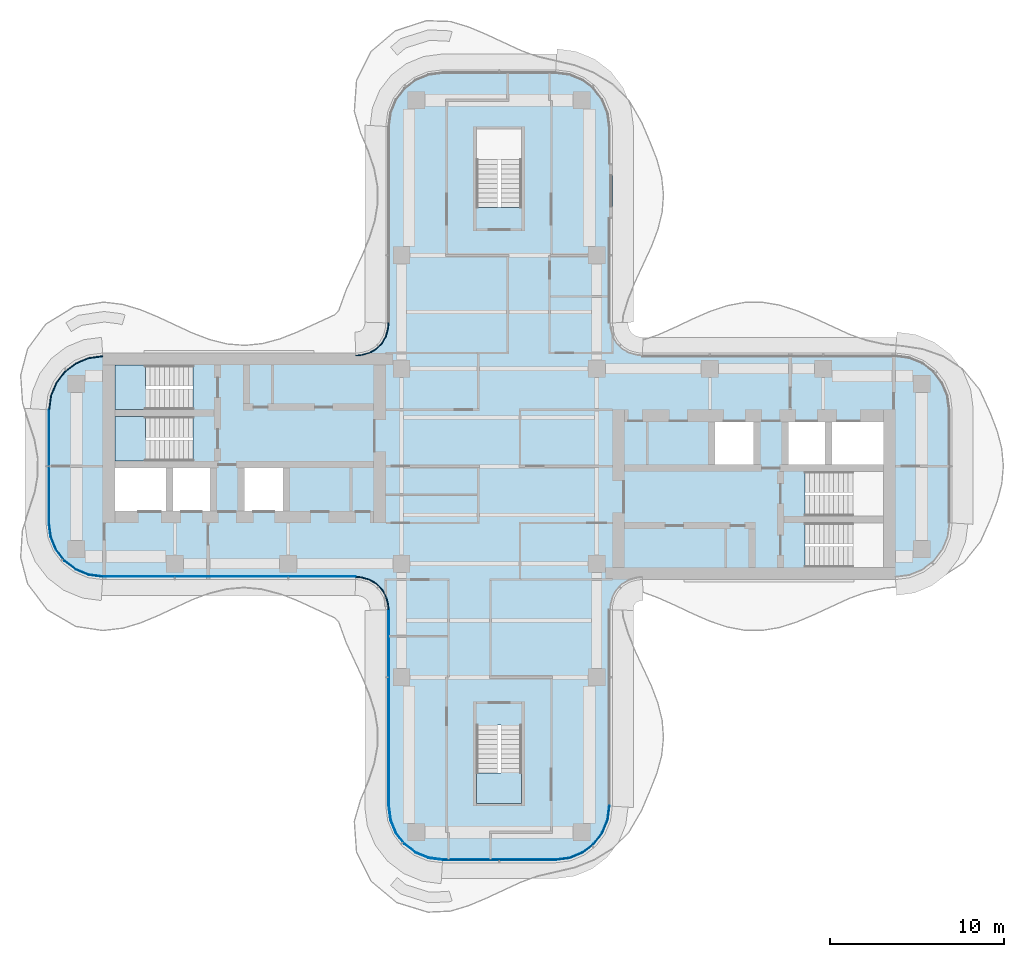
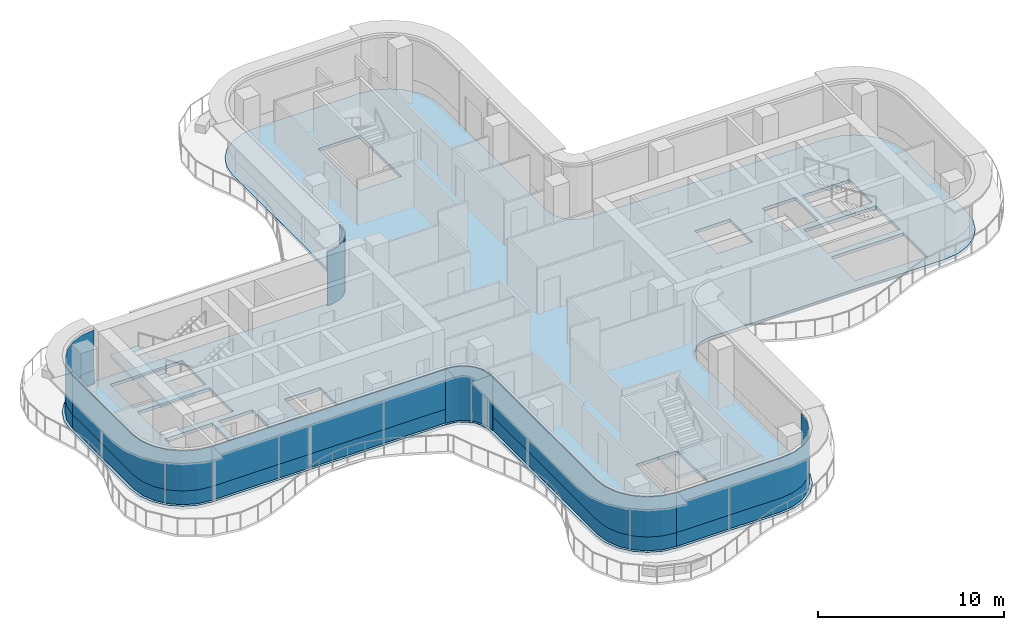
# One storey, part 8 of 15: 12 plates, 4 slabs, 10 elements without a shape of their own.
"""IFC4 building model written with IfcOpenShell, lengths in metres."""

from ifc_helpers import new_model, si_unit, direction, frame, origin, place, context, subcontext, project, spatial, polyline, outline, extrude, source, transform, mapped, material, layer, layer_set, type_object, element, aggregate, save


model = new_model("IFC4")

# Units and contexts
model_context = context("Model", 3, precision=1e-05, world=origin(), true_north=direction((0.0, 1.0)))
body_context = subcontext(model_context, "Body", "Model", "MODEL_VIEW")
ifc_project = project(units=[si_unit("LENGTHUNIT", "METRE"), si_unit("AREAUNIT", "SQUARE_METRE"), si_unit("VOLUMEUNIT", "CUBIC_METRE"), si_unit("PLANEANGLEUNIT", "RADIAN"), si_unit("MASSUNIT", "GRAM", prefix="KILO")], contexts=[model_context])

# Site, building, storey
site_placement = place(None, origin())
site = spatial("IfcSite", under=ifc_project, at=site_placement, CompositionType="ELEMENT")
building_placement = place(site_placement, origin())
building = spatial("IfcBuilding", under=site, at=building_placement, Name="Trellis Farm Tower", CompositionType="ELEMENT")
storey_placement = place(building_placement, frame((0.0, 0.0, 287.199951171875)))
storey = spatial("IfcBuildingStorey", under=building, at=storey_placement, Name="L64", CompositionType="ELEMENT", Elevation=287.199951171875)

# Slab
ifc_material_1 = material(Name="Concrete C40/50", Category="concrete")
ifc_layer_1 = layer(ifc_material_1, 0.199951171875)
ifc_layer_set_1 = layer_set([ifc_layer_1], Name="Composite deck floor slab 200")
slab_type_1 = type_object("IfcSlabType", Name="Composite deck floor slab 200", PredefinedType="FLOOR", material=ifc_layer_set_1)
shared_shape_1 = source(origin(), body_context, "Body", "SweptSolid", [
    extrude(outline(polyline([(-23.59130859375, -6.389404296875), (-24.375, -6.064697265625), (-25.048095703125, -5.548095703125), (-25.564697265625, -4.875), (-25.889404296875, -4.09130859375), (-26.0, -3.25), (-26.0, 3.25), (-25.889404296875, 4.09130859375), (-25.564697265625, 4.875), (-25.048095703125, 5.548095703125), (-24.375, 6.064697265625), (-23.59130859375, 6.389404296875), (-22.75, 6.5), (-8.2314453125, 6.5), (-8.01953125, 6.513916015625), (-7.91552734375, 6.527587890625), (-7.508544921875, 6.63671875), (-7.144287109375, 6.846923828125), (-6.846923828125, 7.144287109375), (-6.63671875, 7.508544921875), (-6.527587890625, 7.91552734375), (-6.513916015625, 8.01953125), (-6.5, 8.2314453125), (-6.5, 19.5), (-6.389404296875, 20.34130859375), (-6.064697265625, 21.125), (-5.548095703125, 21.798095703125), (-4.875, 22.314697265625), (-4.09130859375, 22.639404296875), (-3.25, 22.75), (3.25, 22.75), (4.09130859375, 22.639404296875), (4.875, 22.314697265625), (5.548095703125, 21.798095703125), (6.064697265625, 21.125), (6.389404296875, 20.34130859375), (6.5, 19.5), (6.5, 8.2314453125), (6.513916015625, 8.01953125), (6.527587890625, 7.91552734375), (6.63671875, 7.508544921875), (6.846923828125, 7.144287109375), (7.144287109375, 6.846923828125), (7.508544921875, 6.63671875), (7.91552734375, 6.527587890625), (8.01953125, 6.513916015625), (8.2314453125, 6.5), (22.75, 6.5), (23.59130859375, 6.389404296875), (24.375, 6.064697265625), (25.048095703125, 5.548095703125), (25.564697265625, 4.875), (25.889404296875, 4.09130859375), (26.0, 3.25), (26.0, -3.25), (25.889404296875, -4.09130859375), (25.564697265625, -4.875), (25.048095703125, -5.548095703125), (24.375, -6.064697265625), (23.59130859375, -6.389404296875), (22.75, -6.5), (8.2314453125, -6.5), (8.01953125, -6.513916015625), (7.91552734375, -6.527587890625), (7.508544921875, -6.63671875), (7.144287109375, -6.846923828125), (6.846923828125, -7.144287109375), (6.63671875, -7.508544921875), (6.527587890625, -7.91552734375), (6.513916015625, -8.01953125), (6.5, -8.2314453125), (6.5, -19.5), (6.389404296875, -20.34130859375), (6.064697265625, -21.125), (5.548095703125, -21.798095703125), (4.875, -22.314697265625), (4.09130859375, -22.639404296875), (3.25, -22.75), (-3.25, -22.75), (-4.09130859375, -22.639404296875), (-4.875, -22.314697265625), (-5.548095703125, -21.798095703125), (-6.064697265625, -21.125), (-6.389404296875, -20.34130859375), (-6.5, -19.5), (-6.5, -8.2314453125), (-6.513916015625, -8.01953125), (-6.527587890625, -7.91552734375), (-6.63671875, -7.508544921875), (-6.846923828125, -7.144287109375), (-7.144287109375, -6.846923828125), (-7.508544921875, -6.63671875), (-7.91552734375, -6.527587890625), (-8.01953125, -6.513916015625), (-8.2314453125, -6.5), (-22.75, -6.5), (-23.59130859375, -6.389404296875)]), holes=[polyline([(-22.050048828125, -2.550048828125), (-19.10009765625, -2.550048828125), (-19.10009765625, -0.10009765625), (-22.050048828125, -0.10009765625), (-22.050048828125, -2.550048828125)]), polyline([(-18.699951171875, -0.10009765625), (-18.699951171875, -2.550048828125), (-16.60009765625, -2.550048828125), (-16.60009765625, -0.10009765625), (-18.699951171875, -0.10009765625)]), polyline([(-14.60009765625, -0.10009765625), (-14.60009765625, -2.550048828125), (-12.39990234375, -2.550048828125), (-12.39990234375, -0.10009765625), (-14.60009765625, -0.10009765625)]), polyline([(-17.56201171875, 2.85009765625), (-22.050048828125, 2.85009765625), (-22.050048828125, 0.300048828125), (-17.56005859375, 0.300048828125), (-17.56005859375, 1.5), (-17.550048828125, 1.5), (-17.550048828125, 1.64990234375), (-17.56201171875, 1.64990234375), (-17.56201171875, 2.85009765625)]), polyline([(-17.56201171875, 4.60009765625), (-17.56201171875, 5.800048828125), (-22.050048828125, 5.800048828125), (-22.050048828125, 3.25), (-17.56005859375, 3.25), (-17.56005859375, 4.449951171875), (-17.550048828125, 4.449951171875), (-17.550048828125, 4.60009765625), (-17.56201171875, 4.60009765625)]), polyline([(0.10009765625, 14.862060546875), (1.300048828125, 14.862060546875), (1.300048828125, 19.35009765625), (-1.300048828125, 19.35009765625), (-1.300048828125, 14.860107421875), (-0.10009765625, 14.860107421875), (-0.10009765625, 14.85009765625), (0.10009765625, 14.85009765625), (0.10009765625, 14.862060546875)]), polyline([(-1.300048828125, -14.862060546875), (-1.300048828125, -19.35009765625), (1.300048828125, -19.35009765625), (1.300048828125, -14.860107421875), (0.10009765625, -14.860107421875), (0.10009765625, -14.85009765625), (-0.10009765625, -14.85009765625), (-0.10009765625, -14.862060546875), (-1.300048828125, -14.862060546875)]), polyline([(17.56201171875, -4.60009765625), (17.56201171875, -5.800048828125), (22.050048828125, -5.800048828125), (22.050048828125, -3.25), (17.56005859375, -3.25), (17.56005859375, -4.449951171875), (17.550048828125, -4.449951171875), (17.550048828125, -4.60009765625), (17.56201171875, -4.60009765625)]), polyline([(17.56201171875, -1.64990234375), (17.56201171875, -2.85009765625), (22.050048828125, -2.85009765625), (22.050048828125, -0.300048828125), (17.56005859375, -0.300048828125), (17.56005859375, -1.5), (17.550048828125, -1.5), (17.550048828125, -1.64990234375), (17.56201171875, -1.64990234375)]), polyline([(14.60009765625, 2.550048828125), (12.39990234375, 2.550048828125), (12.39990234375, 0.10009765625), (14.60009765625, 0.10009765625), (14.60009765625, 2.550048828125)]), polyline([(18.699951171875, 0.10009765625), (18.699951171875, 2.550048828125), (16.60009765625, 2.550048828125), (16.60009765625, 0.10009765625), (18.699951171875, 0.10009765625)]), polyline([(22.050048828125, 0.10009765625), (22.050048828125, 2.550048828125), (19.10009765625, 2.550048828125), (19.10009765625, 0.10009765625), (22.050048828125, 0.10009765625)])]), origin(), (0.0, 0.0, 1.0), 0.199951171875),
])
slab_1_placement = place(storey_placement, frame((0.0, 0.0, -0.199951171875)))
element("IfcSlab", 1, at=slab_1_placement, inside=storey, type_object=slab_type_1, Name="Floor slab", PredefinedType="FLOOR", context=body_context, shape_type="MappedRepresentation", body=[
    mapped(shared_shape_1, transform((0.0, 0.0, 0.0))),
])

# Stair, slab
ifc_material_2 = material(Name="Concrete C50/60", Category="concrete")
stair_type = type_object("IfcStairType", Name="CORE EXIT STAIR 22 RISERS 177 MM", PredefinedType="HALF_TURN_STAIR", material=ifc_material_2)
placement_1 = place(storey_placement, origin())
stair_1 = element("IfcStair", 2, at=placement_1, inside=storey, type_object=stair_type, Name="Exit stair S", PredefinedType="HALF_TURN_STAIR")
ifc_layer_2 = layer(ifc_material_2, 0.18994140625)
ifc_layer_set_2 = layer_set([ifc_layer_2], Name="CORE STAIR LANDING 190 CONCRETE C50/60")
slab_type_2 = type_object("IfcSlabType", Name="CORE STAIR LANDING 190 CONCRETE C50/60", PredefinedType="LANDING", material=ifc_layer_set_2)
shared_shape_2 = source(origin(), body_context, "Body", "SweptSolid", [
    extrude(outline(polyline([(1.300048828125, -19.35009765625), (-1.300048828125, -19.35009765625), (-1.300048828125, -17.60009765625), (-1.300048828125, -17.590087890625), (-0.10009765625, -17.590087890625), (-0.10009765625, -17.60009765625), (0.10009765625, -17.60009765625), (0.10009765625, -17.27197265625), (1.300048828125, -17.27197265625), (1.300048828125, -17.60009765625), (1.300048828125, -19.35009765625)])), origin(), (0.0, 0.0, 1.0), 0.18994140625),
])
placement_2 = place(storey_placement, frame((0.0, 0.0, 1.760009765625)))
slab_2 = element("IfcSlab", 3, at=placement_2, type_object=slab_type_2, Name="STS landing 1", PredefinedType="LANDING", context=body_context, shape_type="MappedRepresentation", body=[
    mapped(shared_shape_2, transform((0.0, 0.0, 0.0))),
])
aggregate(stair_1, [slab_2])

stair_2 = element("IfcStair", 4, at=placement_1, inside=storey, type_object=stair_type, Name="Exit stair W1", PredefinedType="HALF_TURN_STAIR")
shared_shape_3 = source(origin(), body_context, "Body", "SweptSolid", [
    extrude(outline(polyline([(-19.971923828125, 4.449951171875), (-19.971923828125, 3.25), (-20.300048828125, 3.25), (-22.050048828125, 3.25), (-22.050048828125, 5.800048828125), (-20.300048828125, 5.800048828125), (-20.2900390625, 5.800048828125), (-20.2900390625, 4.60009765625), (-20.300048828125, 4.60009765625), (-20.300048828125, 4.449951171875), (-19.971923828125, 4.449951171875)])), origin(), (0.0, 0.0, 1.0), 0.18994140625),
])
slab_3 = element("IfcSlab", 5, at=placement_2, type_object=slab_type_2, Name="STW1 landing 1", PredefinedType="LANDING", context=body_context, shape_type="MappedRepresentation", body=[
    mapped(shared_shape_3, transform((0.0, 0.0, 0.0))),
])
aggregate(stair_2, [slab_3])

stair_3 = element("IfcStair", 6, at=placement_1, inside=storey, type_object=stair_type, Name="Exit stair W2", PredefinedType="HALF_TURN_STAIR")
shared_shape_4 = source(origin(), body_context, "Body", "SweptSolid", [
    extrude(outline(polyline([(-19.971923828125, 1.5), (-19.971923828125, 0.300048828125), (-20.300048828125, 0.300048828125), (-22.050048828125, 0.300048828125), (-22.050048828125, 2.85009765625), (-20.300048828125, 2.85009765625), (-20.2900390625, 2.85009765625), (-20.2900390625, 1.64990234375), (-20.300048828125, 1.64990234375), (-20.300048828125, 1.5), (-19.971923828125, 1.5)])), origin(), (0.0, 0.0, 1.0), 0.18994140625),
])
slab_4 = element("IfcSlab", 7, at=placement_2, type_object=slab_type_2, Name="STW2 landing 1", PredefinedType="LANDING", context=body_context, shape_type="MappedRepresentation", body=[
    mapped(shared_shape_4, transform((0.0, 0.0, 0.0))),
])
aggregate(stair_3, [slab_4])

# Curtain wall, plate
ifc_material_3 = material(Name="Aluminium and glass curtain wall", Category="aluminium")
ifc_layer_3 = layer(ifc_material_3, 0.166015625)
ifc_layer_set_3 = layer_set([ifc_layer_3], Name="WINTER GARDEN CURTAIN WALL CW3")
curtain_wall_type_1 = type_object("IfcCurtainWallType", Name="WINTER GARDEN CURTAIN WALL CW3", PredefinedType="NOTDEFINED", material=ifc_layer_set_3)
curtain_wall_1 = element("IfcCurtainWall", 8, at=placement_1, inside=storey, type_object=curtain_wall_type_1, Name="CW3 001", PredefinedType="NOTDEFINED")
ifc_material_4 = material(Name="Clear insulated glass", Category="glass")
ifc_layer_4 = layer(ifc_material_4, 0.0458984375)
ifc_layer_set_4 = layer_set([ifc_layer_4], Name="CW3 GLASS PANEL 46")
plate_type_1 = type_object("IfcPlateType", Name="CW3 GLASS PANEL 46", PredefinedType="CURTAIN_PANEL", material=ifc_layer_set_4)
shared_shape_5 = source(origin(), body_context, "Body", "SweptSolid", [
    extrude(outline(polyline([(-8.2275390625, -6.3798828125), (-8.0078125, -6.394287109375), (-7.89208984375, -6.40966796875), (-7.462158203125, -6.52490234375), (-7.070556640625, -6.7509765625), (-6.7509765625, -7.070556640625), (-6.52490234375, -7.462158203125), (-6.40966796875, -7.89208984375), (-6.394287109375, -8.0078125), (-6.3798828125, -8.2275390625), (-6.333984375, -8.22607421875), (-6.3486328125, -8.003173828125), (-6.364501953125, -7.883056640625), (-6.48193359375, -7.4443359375), (-6.714111328125, -7.04248046875), (-7.04248046875, -6.714111328125), (-7.4443359375, -6.48193359375), (-7.883056640625, -6.364501953125), (-8.003173828125, -6.3486328125), (-8.22607421875, -6.333984375), (-8.2275390625, -6.3798828125)])), origin(), (0.0, 0.0, 1.0), 3.550048828125),
])
plate_1 = element("IfcPlate", 9, at=placement_1, type_object=plate_type_1, Name="PL3 001", PredefinedType="CURTAIN_PANEL", context=body_context, shape_type="MappedRepresentation", body=[
    mapped(shared_shape_5, transform((0.0, 0.0, 0.0))),
])
aggregate(curtain_wall_1, [plate_1])

curtain_wall_2 = element("IfcCurtainWall", 10, at=placement_1, inside=storey, type_object=curtain_wall_type_1, Name="CW3 004", PredefinedType="NOTDEFINED")
shared_shape_6 = source(origin(), body_context, "Body", "SweptSolid", [
    extrude(outline(polyline([(-6.3798828125, 8.2275390625), (-6.394287109375, 8.0078125), (-6.40966796875, 7.89208984375), (-6.52490234375, 7.462158203125), (-6.7509765625, 7.070556640625), (-7.070556640625, 6.7509765625), (-7.462158203125, 6.52490234375), (-7.89208984375, 6.40966796875), (-8.0078125, 6.394287109375), (-8.2275390625, 6.3798828125), (-8.22607421875, 6.333984375), (-8.003173828125, 6.3486328125), (-7.883056640625, 6.364501953125), (-7.4443359375, 6.48193359375), (-7.04248046875, 6.714111328125), (-6.714111328125, 7.04248046875), (-6.48193359375, 7.4443359375), (-6.364501953125, 7.883056640625), (-6.3486328125, 8.003173828125), (-6.333984375, 8.22607421875), (-6.3798828125, 8.2275390625)])), origin(), (0.0, 0.0, 1.0), 3.550048828125),
])
plate_2 = element("IfcPlate", 11, at=placement_1, type_object=plate_type_1, Name="PL3 004", PredefinedType="CURTAIN_PANEL", context=body_context, shape_type="MappedRepresentation", body=[
    mapped(shared_shape_6, transform((0.0, 0.0, 0.0))),
])
aggregate(curtain_wall_2, [plate_2])

# Curtain wall, plates
ifc_layer_5 = layer(ifc_material_3, 0.18994140625)
ifc_layer_set_5 = layer_set([ifc_layer_5], Name="RIBBON CURTAIN WALL CW1")
curtain_wall_type_2 = type_object("IfcCurtainWallType", Name="RIBBON CURTAIN WALL CW1", PredefinedType="NOTDEFINED", material=ifc_layer_set_5)
curtain_wall_3 = element("IfcCurtainWall", 12, at=placement_1, inside=storey, type_object=curtain_wall_type_2, Name="CW1 002", PredefinedType="NOTDEFINED")
ifc_layer_6 = layer(ifc_material_4, 0.0400390625)
ifc_layer_set_6 = layer_set([ifc_layer_6], Name="CW1 GLASS PANEL 40")
plate_type_2 = type_object("IfcPlateType", Name="CW1 GLASS PANEL 40", PredefinedType="CURTAIN_PANEL", material=ifc_layer_set_6)
shared_shape_7 = source(origin(), body_context, "Body", "SweptSolid", [
    extrude(outline(polyline([(-6.35009765625, -8.2265625), (-6.35009765625, -19.490234375), (-6.2431640625, -20.302001953125), (-5.93359375, -21.04931640625), (-5.441162109375, -21.691162109375), (-4.79931640625, -22.18359375), (-4.052001953125, -22.4931640625), (-3.240234375, -22.60009765625), (-3.237548828125, -22.56005859375), (-4.04150390625, -22.4541015625), (-4.779296875, -22.148681640625), (-5.41259765625, -21.66259765625), (-5.898681640625, -21.029296875), (-6.2041015625, -20.29150390625), (-6.31005859375, -19.487548828125), (-6.31005859375, -8.22509765625), (-6.35009765625, -8.2265625)])), origin(), (0.0, 0.0, 1.0), 2.619873046875),
])
placement_3 = place(storey_placement, frame((0.0, 0.0, 0.900146484375)))
plate_3 = element("IfcPlate", 13, at=placement_3, type_object=plate_type_2, Name="PL1 002", PredefinedType="CURTAIN_PANEL", context=body_context, shape_type="MappedRepresentation", body=[
    mapped(shared_shape_7, transform((0.0, 0.0, 0.0))),
])
ifc_material_5 = material(Name="Sandstone faced insulated panel", Category="masonry")
ifc_layer_7 = layer(ifc_material_5, 0.050048828125)
ifc_layer_set_7 = layer_set([ifc_layer_7], Name="CW1 STONE SPANDREL PANEL 50")
plate_type_3 = type_object("IfcPlateType", Name="CW1 STONE SPANDREL PANEL 50", PredefinedType="CURTAIN_PANEL", material=ifc_layer_set_7)
shared_shape_8 = source(origin(), body_context, "Body", "SweptSolid", [
    extrude(outline(polyline([(-6.35009765625, -8.2265625), (-6.35009765625, -19.490234375), (-6.2431640625, -20.302001953125), (-5.93359375, -21.04931640625), (-5.441162109375, -21.691162109375), (-4.79931640625, -22.18359375), (-4.052001953125, -22.4931640625), (-3.240234375, -22.60009765625), (-3.23681640625, -22.550048828125), (-4.0390625, -22.4443359375), (-4.774169921875, -22.139892578125), (-5.405517578125, -21.655517578125), (-5.889892578125, -21.024169921875), (-6.1943359375, -20.2890625), (-6.300048828125, -19.48681640625), (-6.300048828125, -8.224853515625), (-6.35009765625, -8.2265625)])), origin(), (0.0, 0.0, 1.0), 0.900146484375),
])
plate_4 = element("IfcPlate", 14, at=placement_1, type_object=plate_type_3, Name="PS1 002", PredefinedType="CURTAIN_PANEL", context=body_context, shape_type="MappedRepresentation", body=[
    mapped(shared_shape_8, transform((0.0, 0.0, 0.0))),
])
aggregate(curtain_wall_3, [plate_3, plate_4])

curtain_wall_4 = element("IfcCurtainWall", 15, at=placement_1, inside=storey, type_object=curtain_wall_type_2, Name="CW1 003", PredefinedType="NOTDEFINED")
shared_shape_9 = source(origin(), body_context, "Body", "SweptSolid", [
    extrude(outline(polyline([(-3.240234375, -22.60009765625), (3.240234375, -22.60009765625), (4.052001953125, -22.4931640625), (4.79931640625, -22.18359375), (5.441162109375, -21.691162109375), (5.93359375, -21.04931640625), (6.2431640625, -20.302001953125), (6.35009765625, -19.490234375), (6.31005859375, -19.487548828125), (6.2041015625, -20.29150390625), (5.898681640625, -21.029296875), (5.41259765625, -21.66259765625), (4.779296875, -22.148681640625), (4.04150390625, -22.4541015625), (3.237548828125, -22.56005859375), (-3.237548828125, -22.56005859375), (-3.240234375, -22.60009765625)])), origin(), (0.0, 0.0, 1.0), 2.619873046875),
])
plate_5 = element("IfcPlate", 16, at=placement_3, type_object=plate_type_2, Name="PL1 003", PredefinedType="CURTAIN_PANEL", context=body_context, shape_type="MappedRepresentation", body=[
    mapped(shared_shape_9, transform((0.0, 0.0, 0.0))),
])
shared_shape_10 = source(origin(), body_context, "Body", "SweptSolid", [
    extrude(outline(polyline([(-3.240234375, -22.60009765625), (3.240234375, -22.60009765625), (4.052001953125, -22.4931640625), (4.79931640625, -22.18359375), (5.441162109375, -21.691162109375), (5.93359375, -21.04931640625), (6.2431640625, -20.302001953125), (6.35009765625, -19.490234375), (6.300048828125, -19.48681640625), (6.1943359375, -20.2890625), (5.889892578125, -21.024169921875), (5.405517578125, -21.655517578125), (4.774169921875, -22.139892578125), (4.0390625, -22.4443359375), (3.23681640625, -22.550048828125), (-3.23681640625, -22.550048828125), (-3.240234375, -22.60009765625)])), origin(), (0.0, 0.0, 1.0), 0.900146484375),
])
plate_6 = element("IfcPlate", 17, at=placement_1, type_object=plate_type_3, Name="PS1 003", PredefinedType="CURTAIN_PANEL", context=body_context, shape_type="MappedRepresentation", body=[
    mapped(shared_shape_10, transform((0.0, 0.0, 0.0))),
])
aggregate(curtain_wall_4, [plate_5, plate_6])

curtain_wall_5 = element("IfcCurtainWall", 18, at=placement_1, inside=storey, type_object=curtain_wall_type_2, Name="CW1 001", PredefinedType="NOTDEFINED")
shared_shape_11 = source(origin(), body_context, "Body", "SweptSolid", [
    extrude(outline(polyline([(-22.740234375, -6.35009765625), (-8.2265625, -6.35009765625), (-8.22509765625, -6.31005859375), (-22.737548828125, -6.31005859375), (-22.740234375, -6.35009765625)])), origin(), (0.0, 0.0, 1.0), 2.619873046875),
])
plate_7 = element("IfcPlate", 19, at=placement_3, type_object=plate_type_2, Name="PL1 001", PredefinedType="CURTAIN_PANEL", context=body_context, shape_type="MappedRepresentation", body=[
    mapped(shared_shape_11, transform((0.0, 0.0, 0.0))),
])
shared_shape_12 = source(origin(), body_context, "Body", "SweptSolid", [
    extrude(outline(polyline([(-22.740234375, -6.35009765625), (-8.2265625, -6.35009765625), (-8.224853515625, -6.300048828125), (-22.73681640625, -6.300048828125), (-22.740234375, -6.35009765625)])), origin(), (0.0, 0.0, 1.0), 0.900146484375),
])
plate_8 = element("IfcPlate", 20, at=placement_1, type_object=plate_type_3, Name="PS1 001", PredefinedType="CURTAIN_PANEL", context=body_context, shape_type="MappedRepresentation", body=[
    mapped(shared_shape_12, transform((0.0, 0.0, 0.0))),
])
aggregate(curtain_wall_5, [plate_7, plate_8])

curtain_wall_6 = element("IfcCurtainWall", 21, at=placement_1, inside=storey, type_object=curtain_wall_type_2, Name="CW1 012", PredefinedType="NOTDEFINED")
shared_shape_13 = source(origin(), body_context, "Body", "SweptSolid", [
    extrude(outline(polyline([(-22.740234375, 6.35009765625), (-23.552001953125, 6.2431640625), (-24.29931640625, 5.93359375), (-24.941162109375, 5.441162109375), (-25.43359375, 4.79931640625), (-25.7431640625, 4.052001953125), (-25.85009765625, 3.240234375), (-25.81005859375, 3.237548828125), (-25.7041015625, 4.04150390625), (-25.398681640625, 4.779296875), (-24.91259765625, 5.41259765625), (-24.279296875, 5.898681640625), (-23.54150390625, 6.2041015625), (-22.737548828125, 6.31005859375), (-22.740234375, 6.35009765625)])), origin(), (0.0, 0.0, 1.0), 2.619873046875),
])
plate_9 = element("IfcPlate", 22, at=placement_3, type_object=plate_type_2, Name="PL1 012", PredefinedType="CURTAIN_PANEL", context=body_context, shape_type="MappedRepresentation", body=[
    mapped(shared_shape_13, transform((0.0, 0.0, 0.0))),
])
shared_shape_14 = source(origin(), body_context, "Body", "SweptSolid", [
    extrude(outline(polyline([(-22.740234375, 6.35009765625), (-23.552001953125, 6.2431640625), (-24.29931640625, 5.93359375), (-24.941162109375, 5.441162109375), (-25.43359375, 4.79931640625), (-25.7431640625, 4.052001953125), (-25.85009765625, 3.240234375), (-25.800048828125, 3.23681640625), (-25.6943359375, 4.0390625), (-25.389892578125, 4.774169921875), (-24.905517578125, 5.405517578125), (-24.274169921875, 5.889892578125), (-23.5390625, 6.1943359375), (-22.73681640625, 6.300048828125), (-22.740234375, 6.35009765625)])), origin(), (0.0, 0.0, 1.0), 0.900146484375),
])
plate_10 = element("IfcPlate", 23, at=placement_1, type_object=plate_type_3, Name="PS1 012", PredefinedType="CURTAIN_PANEL", context=body_context, shape_type="MappedRepresentation", body=[
    mapped(shared_shape_14, transform((0.0, 0.0, 0.0))),
])
aggregate(curtain_wall_6, [plate_9, plate_10])

curtain_wall_7 = element("IfcCurtainWall", 24, at=placement_1, inside=storey, type_object=curtain_wall_type_2, Name="CW1 013", PredefinedType="NOTDEFINED")
shared_shape_15 = source(origin(), body_context, "Body", "SweptSolid", [
    extrude(outline(polyline([(-25.85009765625, 3.240234375), (-25.85009765625, -3.240234375), (-25.7431640625, -4.052001953125), (-25.43359375, -4.79931640625), (-24.941162109375, -5.441162109375), (-24.29931640625, -5.93359375), (-23.552001953125, -6.2431640625), (-22.740234375, -6.35009765625), (-22.737548828125, -6.31005859375), (-23.54150390625, -6.2041015625), (-24.279296875, -5.898681640625), (-24.91259765625, -5.41259765625), (-25.398681640625, -4.779296875), (-25.7041015625, -4.04150390625), (-25.81005859375, -3.237548828125), (-25.81005859375, 3.237548828125), (-25.85009765625, 3.240234375)])), origin(), (0.0, 0.0, 1.0), 2.619873046875),
])
plate_11 = element("IfcPlate", 25, at=placement_3, type_object=plate_type_2, Name="PL1 013", PredefinedType="CURTAIN_PANEL", context=body_context, shape_type="MappedRepresentation", body=[
    mapped(shared_shape_15, transform((0.0, 0.0, 0.0))),
])
shared_shape_16 = source(origin(), body_context, "Body", "SweptSolid", [
    extrude(outline(polyline([(-25.85009765625, 3.240234375), (-25.85009765625, -3.240234375), (-25.7431640625, -4.052001953125), (-25.43359375, -4.79931640625), (-24.941162109375, -5.441162109375), (-24.29931640625, -5.93359375), (-23.552001953125, -6.2431640625), (-22.740234375, -6.35009765625), (-22.73681640625, -6.300048828125), (-23.5390625, -6.1943359375), (-24.274169921875, -5.889892578125), (-24.905517578125, -5.405517578125), (-25.389892578125, -4.774169921875), (-25.6943359375, -4.0390625), (-25.800048828125, -3.23681640625), (-25.800048828125, 3.23681640625), (-25.85009765625, 3.240234375)])), origin(), (0.0, 0.0, 1.0), 0.900146484375),
])
plate_12 = element("IfcPlate", 26, at=placement_1, type_object=plate_type_3, Name="PS1 013", PredefinedType="CURTAIN_PANEL", context=body_context, shape_type="MappedRepresentation", body=[
    mapped(shared_shape_16, transform((0.0, 0.0, 0.0))),
])
aggregate(curtain_wall_7, [plate_11, plate_12])

save(model, "model.ifc")
